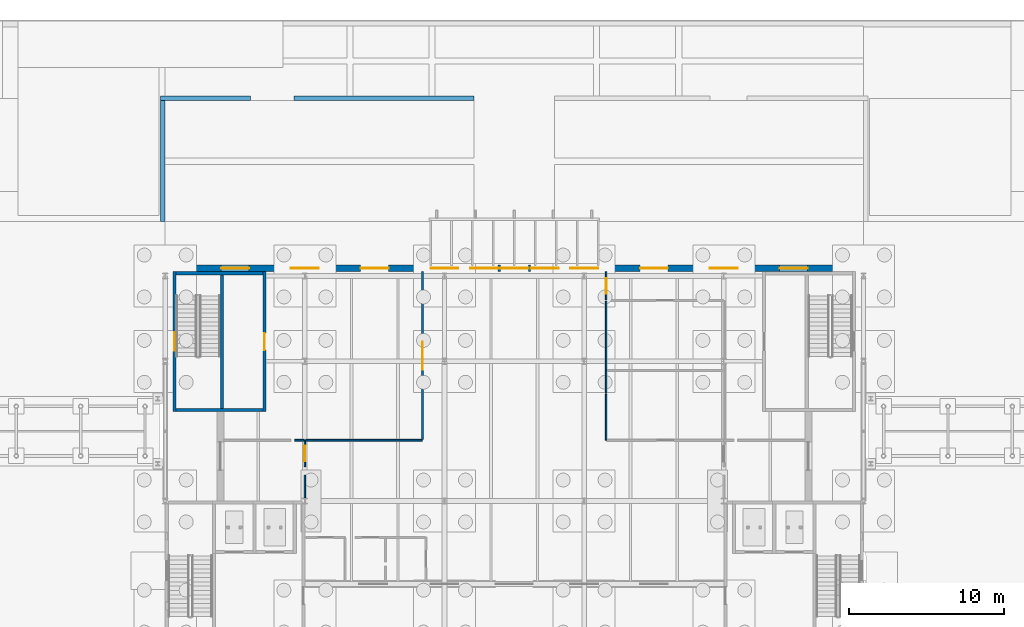
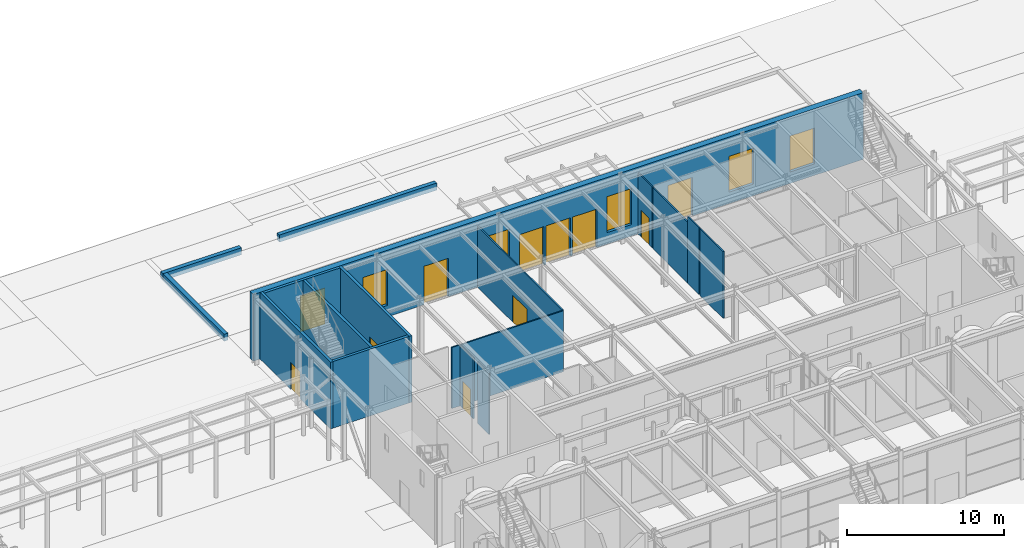
# One storey, part 80 of 126: 18 walls, 10 doors, 6 windows, 16 openings.
"""IFC4 building model written with IfcOpenShell, lengths in metres."""

from ifc_helpers import new_model, si_unit, direction, frame, frame_2d, origin, place, context, subcontext, project, spatial, rectangle, extrude, material, layer, layer_set, type_object, element, fill, save


model = new_model("IFC4")

# Units and contexts
model_context = context("Model", 3, precision=1e-05, world=origin(), true_north=direction((0.0, 1.0)))
body_context = subcontext(model_context, "Body", "Model", "MODEL_VIEW")
ifc_project = project(units=[si_unit("LENGTHUNIT", "METRE"), si_unit("AREAUNIT", "SQUARE_METRE"), si_unit("VOLUMEUNIT", "CUBIC_METRE"), si_unit("PLANEANGLEUNIT", "RADIAN"), si_unit("MASSUNIT", "GRAM", prefix="KILO")], contexts=[model_context])

# Site, building, storey
site_placement = place(None, origin())
site = spatial("IfcSite", under=ifc_project, at=site_placement, CompositionType="ELEMENT")
building_placement = place(site_placement, origin())
building = spatial("IfcBuilding", under=site, at=building_placement, Name="Kallimachos Central Library", CompositionType="ELEMENT")
storey_placement = place(building_placement, origin())
storey = spatial("IfcBuildingStorey", under=building, at=storey_placement, Name="L00", CompositionType="ELEMENT", Elevation=0.0)

# Wall, opening, door
ifc_material_1 = material(Name="Concrete C30/37", Category="concrete")
ifc_layer_1 = layer(ifc_material_1, 0.199951171875)
ifc_layer_set_1 = layer_set([ifc_layer_1], Name="Core wall 200")
wall_type_1 = type_object("IfcWallType", Name="Core wall 200", PredefinedType="SOLIDWALL", material=ifc_layer_set_1)
wall_1_placement = place(storey_placement, frame((66.10009765625, 101.77490234375, 0.0), z_axis=(0.0, 0.0, 1.0), x_axis=(0.0, 1.0, 0.0)))
wall_1 = element("IfcWall", 1, at=wall_1_placement, inside=storey, type_object=wall_type_1, Name="Core wall V1-NW W", PredefinedType="SOLIDWALL", context=body_context, shape_type="SweptSolid", body=[
    extrude(rectangle(XDim=9.0, YDim=0.199951171875, at=frame_2d((4.5, 0.0))), origin(), (0.0, 0.0, 1.0), 5.199951171875),
])
opening_1_placement = place(wall_1_placement, frame((3.89990234375, 0.0, 0.0)))
opening_1 = element("IfcOpeningElement", 2, at=opening_1_placement, cuts=wall_1, Name="Opening D232", PredefinedType="OPENING", context=body_context, shape_type="SweptSolid", body=[
    extrude(rectangle(XDim=1.199951171875, YDim=2.10009765625, at=frame_2d((0.60009765625, 1.050048828125))), frame((0.0, 0.10986328125, 0.0), z_axis=(0.0, -1.0, 0.0), x_axis=(1.0, 0.0, 0.0)), (0.0, 0.0, 1.0), 0.219970703125),
])
ifc_material_2 = material(Name="Steel fire door leaf", Category="steel")
door_type_1 = type_object("IfcDoorType", Name="Exit door EI2 90 1200 x 2100", OperationType="NOTDEFINED", PredefinedType="DOOR", material=ifc_material_2)
door_1_placement = place(opening_1_placement, origin())
door_1 = element("IfcDoor", 3, at=door_1_placement, inside=storey, type_object=door_type_1, Name="Exit Door", OperationType="SINGLE_SWING_RIGHT", OverallHeight=2.10009765625, OverallWidth=1.199951171875, PredefinedType="DOOR", context=body_context, shape_type="SweptSolid", body=[
    extrude(rectangle(XDim=1.199951171875, YDim=2.10009765625, at=frame_2d((0.60009765625, 1.050048828125))), frame((0.0, 0.02490234375, 0.0), z_axis=(0.0, -1.0, 0.0), x_axis=(1.0, 0.0, 0.0)), (0.0, 0.0, 1.0), 0.050048828125),
])
fill(opening_1, door_1)

wall_2_placement = place(storey_placement, frame((71.89990234375, 101.77490234375, 0.0), z_axis=(0.0, 0.0, 1.0), x_axis=(0.0, 1.0, 0.0)))
wall_2 = element("IfcWall", 4, at=wall_2_placement, inside=storey, type_object=wall_type_1, Name="Core wall V1-NW E", PredefinedType="SOLIDWALL", context=body_context, shape_type="SweptSolid", body=[
    extrude(rectangle(XDim=9.0, YDim=0.199951171875, at=frame_2d((4.5, 0.0))), origin(), (0.0, 0.0, 1.0), 5.199951171875),
])
opening_2_placement = place(wall_2_placement, frame((3.949951171875, 0.0, 0.0)))
opening_2 = element("IfcOpeningElement", 5, at=opening_2_placement, cuts=wall_2, Name="Opening D231", PredefinedType="OPENING", context=body_context, shape_type="SweptSolid", body=[
    extrude(rectangle(XDim=1.10009765625, YDim=2.10009765625, at=frame_2d((0.550048828125, 1.050048828125))), frame((0.0, 0.10986328125, 0.0), z_axis=(0.0, -1.0, 0.0), x_axis=(1.0, 0.0, 0.0)), (0.0, 0.0, 1.0), 0.219970703125),
])
ifc_material_3 = material(Name="Steel fire door", Category="steel")
door_type_2 = type_object("IfcDoorType", Name="Fire door EI2 90 1100 x 2100", OperationType="NOTDEFINED", PredefinedType="DOOR", material=ifc_material_3)
door_2_placement = place(opening_2_placement, origin())
door_2 = element("IfcDoor", 6, at=door_2_placement, inside=storey, type_object=door_type_2, Name="V1-DOR-L00-015", OperationType="SINGLE_SWING_RIGHT", OverallHeight=2.10009765625, OverallWidth=1.10009765625, PredefinedType="DOOR", context=body_context, shape_type="SweptSolid", body=[
    extrude(rectangle(XDim=1.10009765625, YDim=2.10009765625, at=frame_2d((0.550048828125, 1.050048828125))), frame((0.0, 0.02490234375, 0.0), z_axis=(0.0, -1.0, 0.0), x_axis=(1.0, 0.0, 0.0)), (0.0, 0.0, 1.0), 0.050048828125),
])
fill(opening_2, door_2)

# Walls
for number, where, z_axis, x_axis, name in (
    (7, (66.199951171875, 101.875, 0.0), (0.0, 0.0, 1.0), (1.0, 0.0, 0.0), "Core wall V1-NW S"),
    (8, (66.199951171875, 110.675048828125, 0.0), (0.0, 0.0, 1.0), (1.0, 0.0, 0.0), "Core wall V1-NW N"),
):
    element("IfcWall", number, at=place(storey_placement, frame(where, z_axis=z_axis, x_axis=x_axis)), inside=storey, type_object=wall_type_1, Name=name, PredefinedType="SOLIDWALL", context=body_context, shape_type="SweptSolid", body=[
        extrude(rectangle(XDim=5.60009765625, YDim=0.199951171875, at=frame_2d((2.800048828125, 0.0))), origin(), (0.0, 0.0, 1.0), 5.199951171875),
    ])
wall_3_placement = place(storey_placement, frame((69.14990234375, 101.97509765625, 0.0), z_axis=(0.0, 0.0, 1.0), x_axis=(0.0, 1.0, 0.0)))
element("IfcWall", 9, at=wall_3_placement, inside=storey, type_object=wall_type_1, Name="Stair wall V1-NW", PredefinedType="SOLIDWALL", context=body_context, shape_type="SweptSolid", body=[
    extrude(rectangle(XDim=8.599853515625, YDim=0.199951171875, at=frame_2d((4.2998046875, 0.0))), origin(), (0.0, 0.0, 1.0), 5.199951171875),
])
ifc_material_4 = material(Name="Granite kerb stone", Category="masonry")
ifc_layer_2 = layer(ifc_material_4, 0.300048828125)
ifc_layer_set_2 = layer_set([ifc_layer_2], Name="Granite kerb 300")
wall_type_2 = type_object("IfcWallType", Name="Granite kerb 300", PredefinedType="SOLIDWALL", material=ifc_layer_set_2)
wall_4_placement = place(storey_placement, frame((65.35009765625, 114.0, -0.300048828125), z_axis=(0.0, 0.0, 1.0), x_axis=(0.0, 1.0, 0.0)))
element("IfcWall", 10, at=wall_4_placement, inside=storey, type_object=wall_type_2, Name="Entrance kerb west", PredefinedType="SOLIDWALL", context=body_context, shape_type="SweptSolid", body=[
    extrude(rectangle(XDim=8.10009765625, YDim=0.300048828125, at=frame_2d((4.050048828125, 0.0))), origin(), (0.0, 0.0, 1.0), 0.550048828125),
])
wall_5_placement = place(storey_placement, frame((65.199951171875, 121.949951171875, -0.300048828125), z_axis=(0.0, 0.0, 1.0), x_axis=(1.0, 0.0, 0.0)))
element("IfcWall", 11, at=wall_5_placement, inside=storey, type_object=wall_type_2, Name="Entrance kerb front 1", PredefinedType="SOLIDWALL", context=body_context, shape_type="SweptSolid", body=[
    extrude(rectangle(XDim=5.800048828125, YDim=0.300048828125, at=frame_2d((2.89990234375, 0.0))), origin(), (0.0, 0.0, 1.0), 0.550048828125),
])
wall_6_placement = place(storey_placement, frame((73.800048828125, 121.949951171875, -0.300048828125), z_axis=(0.0, 0.0, 1.0), x_axis=(1.0, 0.0, 0.0)))
element("IfcWall", 12, at=wall_6_placement, inside=storey, type_object=wall_type_2, Name="Entrance kerb front 2", PredefinedType="SOLIDWALL", context=body_context, shape_type="SweptSolid", body=[
    extrude(rectangle(XDim=11.599853515625, YDim=0.300048828125, at=frame_2d((5.7998046875, 0.0))), origin(), (0.0, 0.0, 1.0), 0.550048828125),
])
ifc_material_5 = material(Name="Plasterboard on steel studs", Category="steel")
ifc_layer_3 = layer(ifc_material_5, 0.10009765625)
ifc_layer_set_3 = layer_set([ifc_layer_3], Name="Partition 100")
wall_type_3 = type_object("IfcWallType", Name="Partition 100", PredefinedType="PARTITIONING", material=ifc_layer_set_3)
wall_7_placement = place(storey_placement, frame((74.5, 96.1884765625, 0.0), z_axis=(0.0, 0.0, 1.0), x_axis=(0.0, 1.0, 0.0)))
element("IfcWall", 13, at=wall_7_placement, inside=storey, type_object=wall_type_3, Name="Partition", PredefinedType="PARTITIONING", context=body_context, shape_type="SweptSolid", body=[
    extrude(rectangle(XDim=1.4736328125, YDim=0.10009765625, at=frame_2d((0.73681640625, 0.0))), origin(), (0.0, 0.0, 1.0), 4.760009765625),
])

# Wall, opening, door
wall_8_placement = place(storey_placement, frame((74.5, 98.204833984375, 0.0), z_axis=(0.0, 0.0, 1.0), x_axis=(0.0, 1.0, 0.0)))
wall_8 = element("IfcWall", 14, at=wall_8_placement, inside=storey, type_object=wall_type_3, Name="Partition", PredefinedType="PARTITIONING", context=body_context, shape_type="SweptSolid", body=[
    extrude(rectangle(XDim=1.710693359375, YDim=0.10009765625, at=frame_2d((0.85546875, 0.0))), origin(), (0.0, 0.0, 1.0), 4.760009765625),
])
opening_3_placement = place(wall_8_placement, frame((0.35546875, 0.0, 0.0)))
opening_3 = element("IfcOpeningElement", 15, at=opening_3_placement, cuts=wall_8, Name="Opening D244", PredefinedType="OPENING", context=body_context, shape_type="SweptSolid", body=[
    extrude(rectangle(XDim=1.0, YDim=2.10009765625, at=frame_2d((0.5, 1.050048828125))), frame((0.0, 0.06005859375, 0.0), z_axis=(0.0, -1.0, 0.0), x_axis=(1.0, 0.0, 0.0)), (0.0, 0.0, 1.0), 0.1201171875),
])
ifc_material_6 = material(Name="Oak veneered door leaf")
door_type_3 = type_object("IfcDoorType", Name="Single leaf door EI2 30 1000 x 2100", OperationType="NOTDEFINED", PredefinedType="DOOR", material=ifc_material_6)
door_3_placement = place(opening_3_placement, origin())
door_3 = element("IfcDoor", 16, at=door_3_placement, inside=storey, type_object=door_type_3, Name="V1-DOR-L00-020", OperationType="SINGLE_SWING_LEFT", OverallHeight=2.10009765625, OverallWidth=1.0, PredefinedType="DOOR", context=body_context, shape_type="SweptSolid", body=[
    extrude(rectangle(XDim=1.0, YDim=2.10009765625, at=frame_2d((0.5, 1.050048828125))), frame((0.0, 0.02490234375, 0.0), z_axis=(0.0, -1.0, 0.0), x_axis=(1.0, 0.0, 0.0)), (0.0, 0.0, 1.0), 0.050048828125),
])
fill(opening_3, door_3)

# Wall
wall_9_placement = place(storey_placement, frame((74.550048828125, 99.91552734375, 0.0), z_axis=(0.0, 0.0, 1.0), x_axis=(1.0, 0.0, 0.0)))
element("IfcWall", 17, at=wall_9_placement, inside=storey, type_object=wall_type_3, Name="Partition", PredefinedType="PARTITIONING", context=body_context, shape_type="SweptSolid", body=[
    extrude(rectangle(XDim=7.530029296875, YDim=0.10009765625, at=frame_2d((3.76513671875, 0.0))), origin(), (0.0, 0.0, 1.0), 4.75),
])

# Wall, opening, door
wall_10_placement = place(storey_placement, frame((82.080078125, 99.965576171875, 0.0), z_axis=(0.0, 0.0, 1.0), x_axis=(0.0, 1.0, 0.0)))
wall_10 = element("IfcWall", 18, at=wall_10_placement, inside=storey, type_object=wall_type_3, Name="Partition", PredefinedType="PARTITIONING", context=body_context, shape_type="SweptSolid", body=[
    extrude(rectangle(XDim=10.809326171875, YDim=0.10009765625, at=frame_2d((5.40478515625, 0.0))), origin(), (0.0, 0.0, 1.0), 4.760009765625),
])
opening_4_placement = place(wall_10_placement, frame((4.504638671875, 0.0, 0.0)))
opening_4 = element("IfcOpeningElement", 19, at=opening_4_placement, cuts=wall_10, Name="Opening D243", PredefinedType="OPENING", context=body_context, shape_type="SweptSolid", body=[
    extrude(rectangle(XDim=1.800048828125, YDim=2.10009765625, at=frame_2d((0.89990234375, 1.050048828125))), frame((0.0, 0.06005859375, 0.0), z_axis=(0.0, -1.0, 0.0), x_axis=(1.0, 0.0, 0.0)), (0.0, 0.0, 1.0), 0.1201171875),
])
ifc_material_7 = material(Name="Oak veneered door leaf")
door_type_4 = type_object("IfcDoorType", Name="Double leaf door EI2 30 1800 x 2100", OperationType="DOUBLE_DOOR_SINGLE_SWING", PredefinedType="DOOR", material=ifc_material_7)
door_4_placement = place(opening_4_placement, origin())
door_4 = element("IfcDoor", 20, at=door_4_placement, inside=storey, type_object=door_type_4, Name="V1-DOR-L00-019", OperationType="DOUBLE_DOOR_SINGLE_SWING", OverallHeight=2.10009765625, OverallWidth=1.800048828125, PredefinedType="DOOR", context=body_context, shape_type="SweptSolid", body=[
    extrude(rectangle(XDim=1.800048828125, YDim=2.10009765625, at=frame_2d((0.89990234375, 1.050048828125))), frame((0.0, 0.02490234375, 0.0), z_axis=(0.0, -1.0, 0.0), x_axis=(1.0, 0.0, 0.0)), (0.0, 0.0, 1.0), 0.050048828125),
])
fill(opening_4, door_4)

wall_11_placement = place(storey_placement, frame((93.919921875, 110.77490234375, 0.0), z_axis=(0.0, 0.0, 1.0), x_axis=(0.0, -1.0, 0.0)))
wall_11 = element("IfcWall", 21, at=wall_11_placement, inside=storey, type_object=wall_type_3, Name="Partition", PredefinedType="PARTITIONING", context=body_context, shape_type="SweptSolid", body=[
    extrude(rectangle(XDim=1.8193359375, YDim=0.10009765625, at=frame_2d((0.90966796875, 0.0))), origin(), (0.0, 0.0, 1.0), 4.760009765625),
])
opening_5_placement = place(wall_11_placement, frame((0.40966796875, 0.0, 0.0)))
opening_5 = element("IfcOpeningElement", 22, at=opening_5_placement, cuts=wall_11, Name="Opening D245", PredefinedType="OPENING", context=body_context, shape_type="SweptSolid", body=[
    extrude(rectangle(XDim=1.0, YDim=2.10009765625, at=frame_2d((0.5, 1.050048828125))), frame((0.0, 0.06005859375, 0.0), z_axis=(0.0, -1.0, 0.0), x_axis=(1.0, 0.0, 0.0)), (0.0, 0.0, 1.0), 0.1201171875),
])
door_5_placement = place(opening_5_placement, origin())
door_5 = element("IfcDoor", 23, at=door_5_placement, inside=storey, type_object=door_type_3, Name="V1-DOR-L00-021", OperationType="SINGLE_SWING_LEFT", OverallHeight=2.10009765625, OverallWidth=1.0, PredefinedType="DOOR", context=body_context, shape_type="SweptSolid", body=[
    extrude(rectangle(XDim=1.0, YDim=2.10009765625, at=frame_2d((0.5, 1.050048828125))), frame((0.0, 0.02490234375, 0.0), z_axis=(0.0, -1.0, 0.0), x_axis=(1.0, 0.0, 0.0)), (0.0, 0.0, 1.0), 0.050048828125),
])
fill(opening_5, door_5)

# Walls
wall_12_placement = place(storey_placement, frame((93.919921875, 102.87548828125, 0.0), z_axis=(0.0, 0.0, 1.0), x_axis=(0.0, -1.0, 0.0)))
element("IfcWall", 24, at=wall_12_placement, inside=storey, type_object=wall_type_3, Name="Partition", PredefinedType="PARTITIONING", context=body_context, shape_type="SweptSolid", body=[
    extrude(rectangle(XDim=2.9599609375, YDim=0.10009765625, at=frame_2d((1.47998046875, 0.0))), origin(), (0.0, 0.0, 1.0), 5.199951171875),
])
wall_13_placement = place(storey_placement, frame((93.919921875, 108.87548828125, 0.0), z_axis=(0.0, 0.0, 1.0), x_axis=(0.0, -1.0, 0.0)))
element("IfcWall", 25, at=wall_13_placement, inside=storey, type_object=wall_type_3, Name="Partition", PredefinedType="PARTITIONING", context=body_context, shape_type="SweptSolid", body=[
    extrude(rectangle(XDim=4.4599609375, YDim=0.10009765625, at=frame_2d((2.22998046875, 0.0))), origin(), (0.0, 0.0, 1.0), 4.760009765625),
])
wall_14_placement = place(storey_placement, frame((93.919921875, 104.41552734375, 0.0), z_axis=(0.0, 0.0, 1.0), x_axis=(0.0, -1.0, 0.0)))
element("IfcWall", 26, at=wall_14_placement, inside=storey, type_object=wall_type_3, Name="Partition", PredefinedType="PARTITIONING", context=body_context, shape_type="SweptSolid", body=[
    extrude(rectangle(XDim=1.4599609375, YDim=0.10009765625, at=frame_2d((0.72998046875, 0.0))), origin(), (0.0, 0.0, 1.0), 5.199951171875),
])
wall_15_placement = place(storey_placement, frame((74.449951171875, 99.91552734375, 0.0), z_axis=(0.0, 0.0, 1.0), x_axis=(-1.0, 0.0, 0.0)))
element("IfcWall", 27, at=wall_15_placement, inside=storey, type_object=wall_type_3, Name="Partition", PredefinedType="PARTITIONING", context=body_context, shape_type="SweptSolid", body=[
    extrude(rectangle(XDim=0.607666015625, YDim=0.10009765625, at=frame_2d((0.3037109375, 0.0))), origin(), (0.0, 0.0, 1.0), 4.760009765625),
])

# Wall, openings, windows, doors
ifc_material_8 = material(Name="Pentelic marble cladding on blockwork", Category="masonry")
ifc_layer_4 = layer(ifc_material_8, 0.449951171875)
ifc_layer_set_4 = layer_set([ifc_layer_4], Name="Stone-clad external wall 450")
wall_type_4 = type_object("IfcWallType", Name="Stone-clad external wall 450", PredefinedType="SOLIDWALL", material=ifc_layer_set_4)
wall_16_placement = place(storey_placement, frame((65.5, 111.0, 0.0), z_axis=(0.0, 0.0, 1.0), x_axis=(1.0, 0.0, 0.0)))
wall_16 = element("IfcWall", 28, at=wall_16_placement, inside=storey, type_object=wall_type_4, Name="Stone base wall N L00", PredefinedType="SOLIDWALL", context=body_context, shape_type="SweptSolid", body=[
    extrude(rectangle(XDim=45.0, YDim=0.449951171875, at=frame_2d((22.5, 0.0))), origin(), (0.0, 0.0, 1.0), 5.199951171875),
])
opening_6_placement = place(wall_16_placement, frame((12.60009765625, 0.0, 0.0)))
opening_6 = element("IfcOpeningElement", 29, at=opening_6_placement, cuts=wall_16, Name="Opening D49", PredefinedType="OPENING", context=body_context, shape_type="SweptSolid", body=[
    extrude(rectangle(XDim=1.800048828125, YDim=3.0, at=frame_2d((0.89990234375, 1.5))), frame((0.0, 0.23486328125, 0.0), z_axis=(0.0, -1.0, 0.0), x_axis=(1.0, 0.0, 0.0)), (0.0, 0.0, 1.0), 0.469970703125),
])
opening_7_placement = place(wall_16_placement, frame((19.64990234375, 0.0, 0.0)))
opening_7 = element("IfcOpeningElement", 30, at=opening_7_placement, cuts=wall_16, Name="Opening D50", PredefinedType="OPENING", context=body_context, shape_type="SweptSolid", body=[
    extrude(rectangle(XDim=1.800048828125, YDim=3.0, at=frame_2d((0.89990234375, 1.5))), frame((0.0, 0.23486328125, 0.0), z_axis=(0.0, -1.0, 0.0), x_axis=(1.0, 0.0, 0.0)), (0.0, 0.0, 1.0), 0.469970703125),
])
opening_8_placement = place(wall_16_placement, frame((21.60009765625, 0.0, 0.0)))
opening_8 = element("IfcOpeningElement", 31, at=opening_8_placement, cuts=wall_16, Name="Opening D51", PredefinedType="OPENING", context=body_context, shape_type="SweptSolid", body=[
    extrude(rectangle(XDim=1.800048828125, YDim=3.0, at=frame_2d((0.89990234375, 1.5))), frame((0.0, 0.23486328125, 0.0), z_axis=(0.0, -1.0, 0.0), x_axis=(1.0, 0.0, 0.0)), (0.0, 0.0, 1.0), 0.469970703125),
])
opening_9_placement = place(wall_16_placement, frame((23.550048828125, 0.0, 0.0)))
opening_9 = element("IfcOpeningElement", 32, at=opening_9_placement, cuts=wall_16, Name="Opening D52", PredefinedType="OPENING", context=body_context, shape_type="SweptSolid", body=[
    extrude(rectangle(XDim=1.800048828125, YDim=3.0, at=frame_2d((0.89990234375, 1.5))), frame((0.0, 0.23486328125, 0.0), z_axis=(0.0, -1.0, 0.0), x_axis=(1.0, 0.0, 0.0)), (0.0, 0.0, 1.0), 0.469970703125),
])
opening_10_placement = place(wall_16_placement, frame((30.60009765625, 0.0, 0.0)))
opening_10 = element("IfcOpeningElement", 33, at=opening_10_placement, cuts=wall_16, Name="Opening D53", PredefinedType="OPENING", context=body_context, shape_type="SweptSolid", body=[
    extrude(rectangle(XDim=1.800048828125, YDim=3.0, at=frame_2d((0.89990234375, 1.5))), frame((0.0, 0.23486328125, 0.0), z_axis=(0.0, -1.0, 0.0), x_axis=(1.0, 0.0, 0.0)), (0.0, 0.0, 1.0), 0.469970703125),
])
opening_11_placement = place(wall_16_placement, frame((3.60009765625, 0.0, 0.89990234375)))
opening_11 = element("IfcOpeningElement", 34, at=opening_11_placement, cuts=wall_16, Name="Opening W36", PredefinedType="OPENING", context=body_context, shape_type="SweptSolid", body=[
    extrude(rectangle(XDim=1.800048828125, YDim=2.800048828125, at=frame_2d((0.89990234375, 1.39990234375))), frame((0.0, 0.23486328125, 0.0), z_axis=(0.0, -1.0, 0.0), x_axis=(1.0, 0.0, 0.0)), (0.0, 0.0, 1.0), 0.469970703125),
])
opening_12_placement = place(wall_16_placement, frame((8.10009765625, 0.0, 0.89990234375)))
opening_12 = element("IfcOpeningElement", 35, at=opening_12_placement, cuts=wall_16, Name="Opening W37", PredefinedType="OPENING", context=body_context, shape_type="SweptSolid", body=[
    extrude(rectangle(XDim=1.800048828125, YDim=2.800048828125, at=frame_2d((0.89990234375, 1.39990234375))), frame((0.0, 0.23486328125, 0.0), z_axis=(0.0, -1.0, 0.0), x_axis=(1.0, 0.0, 0.0)), (0.0, 0.0, 1.0), 0.469970703125),
])
opening_13_placement = place(wall_16_placement, frame((17.10009765625, 0.0, 0.89990234375)))
opening_13 = element("IfcOpeningElement", 36, at=opening_13_placement, cuts=wall_16, Name="Opening W39", PredefinedType="OPENING", context=body_context, shape_type="SweptSolid", body=[
    extrude(rectangle(XDim=1.800048828125, YDim=2.800048828125, at=frame_2d((0.89990234375, 1.39990234375))), frame((0.0, 0.23486328125, 0.0), z_axis=(0.0, -1.0, 0.0), x_axis=(1.0, 0.0, 0.0)), (0.0, 0.0, 1.0), 0.469970703125),
])
opening_14_placement = place(wall_16_placement, frame((26.10009765625, 0.0, 0.89990234375)))
opening_14 = element("IfcOpeningElement", 37, at=opening_14_placement, cuts=wall_16, Name="Opening W41", PredefinedType="OPENING", context=body_context, shape_type="SweptSolid", body=[
    extrude(rectangle(XDim=1.800048828125, YDim=2.800048828125, at=frame_2d((0.89990234375, 1.39990234375))), frame((0.0, 0.23486328125, 0.0), z_axis=(0.0, -1.0, 0.0), x_axis=(1.0, 0.0, 0.0)), (0.0, 0.0, 1.0), 0.469970703125),
])
opening_15_placement = place(wall_16_placement, frame((35.10009765625, 0.0, 0.89990234375)))
opening_15 = element("IfcOpeningElement", 38, at=opening_15_placement, cuts=wall_16, Name="Opening W43", PredefinedType="OPENING", context=body_context, shape_type="SweptSolid", body=[
    extrude(rectangle(XDim=1.800048828125, YDim=2.800048828125, at=frame_2d((0.89990234375, 1.39990234375))), frame((0.0, 0.23486328125, 0.0), z_axis=(0.0, -1.0, 0.0), x_axis=(1.0, 0.0, 0.0)), (0.0, 0.0, 1.0), 0.469970703125),
])
opening_16_placement = place(wall_16_placement, frame((39.60009765625, 0.0, 0.89990234375)))
opening_16 = element("IfcOpeningElement", 39, at=opening_16_placement, cuts=wall_16, Name="Opening W44", PredefinedType="OPENING", context=body_context, shape_type="SweptSolid", body=[
    extrude(rectangle(XDim=1.800048828125, YDim=2.800048828125, at=frame_2d((0.89990234375, 1.39990234375))), frame((0.0, 0.23486328125, 0.0), z_axis=(0.0, -1.0, 0.0), x_axis=(1.0, 0.0, 0.0)), (0.0, 0.0, 1.0), 0.469970703125),
])
ifc_material_9 = material(Name="Laminated glass in bronze-anodised aluminium frame", Category="aluminium")
window_type = type_object("IfcWindowType", Name="Base window 1800x2800", PartitioningType="SINGLE_PANEL", PredefinedType="WINDOW", material=ifc_material_9)
window_1_placement = place(opening_11_placement, origin())
window_1 = element("IfcWindow", 40, at=window_1_placement, inside=storey, type_object=window_type, Name="V1-WIN-L00-007", OverallHeight=2.800048828125, OverallWidth=1.800048828125, PartitioningType="SINGLE_PANEL", PredefinedType="WINDOW", context=body_context, shape_type="SweptSolid", body=[
    extrude(rectangle(XDim=1.800048828125, YDim=2.800048828125, at=frame_2d((0.89990234375, 1.39990234375))), frame((0.0, 0.030029296875, 0.0), z_axis=(0.0, -1.0, 0.0), x_axis=(1.0, 0.0, 0.0)), (0.0, 0.0, 1.0), 0.06005859375),
])
fill(opening_11, window_1)
window_2_placement = place(opening_12_placement, origin())
window_2 = element("IfcWindow", 41, at=window_2_placement, inside=storey, type_object=window_type, Name="V1-WIN-L00-008", OverallHeight=2.800048828125, OverallWidth=1.800048828125, PartitioningType="SINGLE_PANEL", PredefinedType="WINDOW", context=body_context, shape_type="SweptSolid", body=[
    extrude(rectangle(XDim=1.800048828125, YDim=2.800048828125, at=frame_2d((0.89990234375, 1.39990234375))), frame((0.0, 0.030029296875, 0.0), z_axis=(0.0, -1.0, 0.0), x_axis=(1.0, 0.0, 0.0)), (0.0, 0.0, 1.0), 0.06005859375),
])
fill(opening_12, window_2)
window_3_placement = place(opening_13_placement, origin())
window_3 = element("IfcWindow", 42, at=window_3_placement, inside=storey, type_object=window_type, Name="V1-WIN-L00-009", OverallHeight=2.800048828125, OverallWidth=1.800048828125, PartitioningType="SINGLE_PANEL", PredefinedType="WINDOW", context=body_context, shape_type="SweptSolid", body=[
    extrude(rectangle(XDim=1.800048828125, YDim=2.800048828125, at=frame_2d((0.89990234375, 1.39990234375))), frame((0.0, 0.030029296875, 0.0), z_axis=(0.0, -1.0, 0.0), x_axis=(1.0, 0.0, 0.0)), (0.0, 0.0, 1.0), 0.06005859375),
])
fill(opening_13, window_3)
window_4_placement = place(opening_14_placement, origin())
window_4 = element("IfcWindow", 43, at=window_4_placement, inside=storey, type_object=window_type, Name="V1-WIN-L00-010", OverallHeight=2.800048828125, OverallWidth=1.800048828125, PartitioningType="SINGLE_PANEL", PredefinedType="WINDOW", context=body_context, shape_type="SweptSolid", body=[
    extrude(rectangle(XDim=1.800048828125, YDim=2.800048828125, at=frame_2d((0.89990234375, 1.39990234375))), frame((0.0, 0.030029296875, 0.0), z_axis=(0.0, -1.0, 0.0), x_axis=(1.0, 0.0, 0.0)), (0.0, 0.0, 1.0), 0.06005859375),
])
fill(opening_14, window_4)
window_5_placement = place(opening_15_placement, origin())
window_5 = element("IfcWindow", 44, at=window_5_placement, inside=storey, type_object=window_type, Name="V1-WIN-L00-011", OverallHeight=2.800048828125, OverallWidth=1.800048828125, PartitioningType="SINGLE_PANEL", PredefinedType="WINDOW", context=body_context, shape_type="SweptSolid", body=[
    extrude(rectangle(XDim=1.800048828125, YDim=2.800048828125, at=frame_2d((0.89990234375, 1.39990234375))), frame((0.0, 0.030029296875, 0.0), z_axis=(0.0, -1.0, 0.0), x_axis=(1.0, 0.0, 0.0)), (0.0, 0.0, 1.0), 0.06005859375),
])
fill(opening_15, window_5)
window_6_placement = place(opening_16_placement, origin())
window_6 = element("IfcWindow", 45, at=window_6_placement, inside=storey, type_object=window_type, Name="V1-WIN-L00-012", OverallHeight=2.800048828125, OverallWidth=1.800048828125, PartitioningType="SINGLE_PANEL", PredefinedType="WINDOW", context=body_context, shape_type="SweptSolid", body=[
    extrude(rectangle(XDim=1.800048828125, YDim=2.800048828125, at=frame_2d((0.89990234375, 1.39990234375))), frame((0.0, 0.030029296875, 0.0), z_axis=(0.0, -1.0, 0.0), x_axis=(1.0, 0.0, 0.0)), (0.0, 0.0, 1.0), 0.06005859375),
])
fill(opening_16, window_6)
ifc_material_10 = material(Name="Glass and anodised aluminium", Category="aluminium")
door_type_5 = type_object("IfcDoorType", Name="Main entrance double door 1800 x 3000", OperationType="DOUBLE_DOOR_SINGLE_SWING", PredefinedType="DOOR", material=ifc_material_10)
door_6_placement = place(opening_6_placement, origin())
door_6 = element("IfcDoor", 46, at=door_6_placement, inside=storey, type_object=door_type_5, Name="Main Entrance E1", OperationType="DOUBLE_DOOR_SINGLE_SWING", OverallHeight=3.0, OverallWidth=1.800048828125, PredefinedType="DOOR", context=body_context, shape_type="SweptSolid", body=[
    extrude(rectangle(XDim=1.800048828125, YDim=3.0, at=frame_2d((0.89990234375, 1.5))), frame((0.0, 0.02490234375, 0.0), z_axis=(0.0, -1.0, 0.0), x_axis=(1.0, 0.0, 0.0)), (0.0, 0.0, 1.0), 0.050048828125),
])
fill(opening_6, door_6)
door_7_placement = place(opening_7_placement, origin())
door_7 = element("IfcDoor", 47, at=door_7_placement, inside=storey, type_object=door_type_5, Name="Main Entrance E2", OperationType="DOUBLE_DOOR_SINGLE_SWING", OverallHeight=3.0, OverallWidth=1.800048828125, PredefinedType="DOOR", context=body_context, shape_type="SweptSolid", body=[
    extrude(rectangle(XDim=1.800048828125, YDim=3.0, at=frame_2d((0.89990234375, 1.5))), frame((0.0, 0.02490234375, 0.0), z_axis=(0.0, -1.0, 0.0), x_axis=(1.0, 0.0, 0.0)), (0.0, 0.0, 1.0), 0.050048828125),
])
fill(opening_7, door_7)
door_8_placement = place(opening_8_placement, origin())
door_8 = element("IfcDoor", 48, at=door_8_placement, inside=storey, type_object=door_type_5, Name="Main Entrance E3", OperationType="DOUBLE_DOOR_SINGLE_SWING", OverallHeight=3.0, OverallWidth=1.800048828125, PredefinedType="DOOR", context=body_context, shape_type="SweptSolid", body=[
    extrude(rectangle(XDim=1.800048828125, YDim=3.0, at=frame_2d((0.89990234375, 1.5))), frame((0.0, 0.02490234375, 0.0), z_axis=(0.0, -1.0, 0.0), x_axis=(1.0, 0.0, 0.0)), (0.0, 0.0, 1.0), 0.050048828125),
])
fill(opening_8, door_8)
door_9_placement = place(opening_9_placement, origin())
door_9 = element("IfcDoor", 49, at=door_9_placement, inside=storey, type_object=door_type_5, Name="Main Entrance E4", OperationType="DOUBLE_DOOR_SINGLE_SWING", OverallHeight=3.0, OverallWidth=1.800048828125, PredefinedType="DOOR", context=body_context, shape_type="SweptSolid", body=[
    extrude(rectangle(XDim=1.800048828125, YDim=3.0, at=frame_2d((0.89990234375, 1.5))), frame((0.0, 0.02490234375, 0.0), z_axis=(0.0, -1.0, 0.0), x_axis=(1.0, 0.0, 0.0)), (0.0, 0.0, 1.0), 0.050048828125),
])
fill(opening_9, door_9)
door_10_placement = place(opening_10_placement, origin())
door_10 = element("IfcDoor", 50, at=door_10_placement, inside=storey, type_object=door_type_5, Name="Main Entrance E5", OperationType="DOUBLE_DOOR_SINGLE_SWING", OverallHeight=3.0, OverallWidth=1.800048828125, PredefinedType="DOOR", context=body_context, shape_type="SweptSolid", body=[
    extrude(rectangle(XDim=1.800048828125, YDim=3.0, at=frame_2d((0.89990234375, 1.5))), frame((0.0, 0.02490234375, 0.0), z_axis=(0.0, -1.0, 0.0), x_axis=(1.0, 0.0, 0.0)), (0.0, 0.0, 1.0), 0.050048828125),
])
fill(opening_10, door_10)

save(model, "model.ifc")
